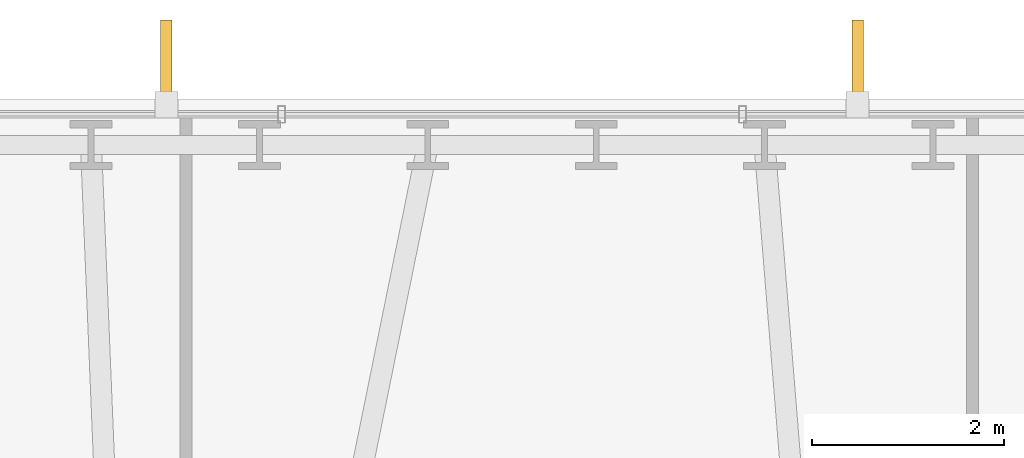
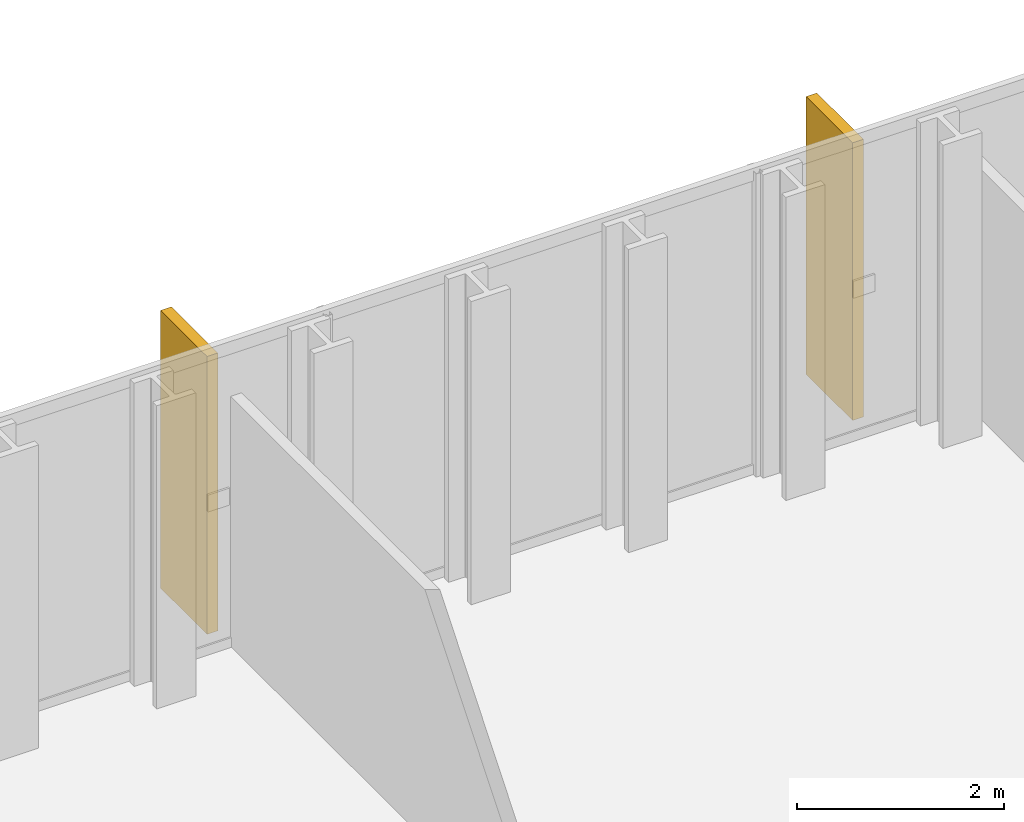
# One storey, part 33 of 33: 2 shading devices.
"""IFC4 building model written with IfcOpenShell, lengths in metres."""

import ifcopenshell
import ifcopenshell.guid

model = None  # the IFC model being written
_history = None  # IfcOwnerHistory: only IFC2X3 demands one
_inside = {}  # id of a spatial element -> (the spatial element, [elements in it])
_under = {}  # id of a project, library or spatial element -> (it, [spatial elements below it])
_declared = {}  # id of a project -> (the project, [libraries it declares])
_typed = {}  # id of a type object -> (the type object, [elements of that type])
_made_of = {}  # id of a material, layer set ... -> (it, [elements and type objects made of it])


def new_model(schema):
    """Start an empty IFC model of exactly this schema.

    Asked for "IFC4X3", IfcOpenShell would pick the latest addendum, in which some entities
    have other attributes; the version numbers below select the first issue.
    IFC2X3 requires an IfcOwnerHistory on every rooted entity: one is made here for all.
    """
    global model, _history
    if schema == "IFC4X3":
        model = ifcopenshell.file(schema_version=(4, 3, 0, 0))
    else:
        model = ifcopenshell.file(schema=schema)
    _inside.clear()
    _under.clear()
    _declared.clear()
    _typed.clear()
    _made_of.clear()
    _history = None
    if model.schema == "IFC2X3":
        org = make("IfcOrganization", Name="unknown")
        user = make(
            "IfcPersonAndOrganization",
            ThePerson=make("IfcPerson", FamilyName="unknown"),
            TheOrganization=org,
        )
        app = make(
            "IfcApplication",
            ApplicationDeveloper=org,
            Version="unknown",
            ApplicationFullName="unknown",
            ApplicationIdentifier="unknown",
        )
        _history = make(
            "IfcOwnerHistory",
            OwningUser=user,
            OwningApplication=app,
            ChangeAction="ADDED",
            CreationDate=0,
        )
    return model


def make(cls, **values):
    """One entity of the class cls with the attributes given. An attribute that is None is left unset."""
    return model.create_entity(
        cls, **{name: value for name, value in values.items() if value is not None}
    )


def rooted(cls, **values):
    """An entity with a GlobalId (a new one), such as an element, a storey or a relation."""
    return make(cls, GlobalId=ifcopenshell.guid.new(), OwnerHistory=_history, **values)


def si_unit(unit_type, name, prefix=None):
    """IfcSIUnit, for example si_unit("LENGTHUNIT", "METRE", prefix="MILLI")."""
    return make("IfcSIUnit", UnitType=unit_type, Prefix=prefix, Name=name)


def assignment(units):
    """IfcUnitAssignment: the units of a project."""
    return None if units is None else make("IfcUnitAssignment", Units=units)


def point(xyz):
    """IfcCartesianPoint."""
    return None if xyz is None else make("IfcCartesianPoint", Coordinates=xyz)


def direction(xyz):
    """IfcDirection."""
    return None if xyz is None else make("IfcDirection", DirectionRatios=xyz)


def frame(location, z_axis=None, x_axis=None):
    """IfcAxis2Placement3D, a coordinate frame: its origin and axes. An axis left out is left unset."""
    return make(
        "IfcAxis2Placement3D",
        Location=point(location),
        Axis=direction(z_axis),
        RefDirection=direction(x_axis),
    )


def frame_2d(location, x_axis=None):
    """IfcAxis2Placement2D, a coordinate frame in the plane: its origin and x axis."""
    return make(
        "IfcAxis2Placement2D", Location=point(location), RefDirection=direction(x_axis)
    )


def origin():
    """The frame at (0, 0, 0) with its axes left unset."""
    return frame((0.0, 0.0, 0.0))


def origin_2d():
    """The frame at (0, 0) in the plane with its x axis left unset."""
    return frame_2d((0.0, 0.0))


def place(relative_to, where):
    """IfcLocalPlacement: puts the frame where relative to a parent placement (None: the world)."""
    return make(
        "IfcLocalPlacement", PlacementRelTo=relative_to, RelativePlacement=where
    )


def context(
    kind, dimensions, precision=None, world=None, true_north=None, identifier=None
):
    """IfcGeometricRepresentationContext, for example the 3D "Model" context."""
    return make(
        "IfcGeometricRepresentationContext",
        ContextIdentifier=identifier,
        ContextType=kind,
        CoordinateSpaceDimension=dimensions,
        Precision=precision,
        WorldCoordinateSystem=world,
        TrueNorth=true_north,
    )


def subcontext(parent, identifier, kind, view, scale=None):
    """IfcGeometricRepresentationSubContext, for example "Body" below "Model"."""
    return make(
        "IfcGeometricRepresentationSubContext",
        ContextIdentifier=identifier,
        ContextType=kind,
        ParentContext=parent,
        TargetScale=scale,
        TargetView=view,
    )


def project(units=None, contexts=None):
    """IfcProject with its units and contexts."""
    return rooted(
        "IfcProject",
        Name="project",
        RepresentationContexts=contexts,
        UnitsInContext=assignment(units),
    )


def spatial(cls, under=None, at=None, **own):
    """A site, building, storey or space (cls), placed at a placement, below another one or the project."""
    s = rooted(cls, ObjectPlacement=at, **own)
    if under is not None:
        _under.setdefault(under.id(), (under, []))[1].append(s)
    return s


def profile(cls, at=None, kind="AREA", **sizes):
    """A parametric profile (cls). Its sizes go by their IFC names, for example OverallWidth=200.0."""
    return make(cls, ProfileType=kind, Position=at, **sizes)


def rectangle(**sizes):
    """IfcRectangleProfileDef."""
    return profile("IfcRectangleProfileDef", **sizes)


def extrude(swept, where, along, depth):
    """IfcExtrudedAreaSolid: the profile swept, set in the frame where, extruded along a direction by depth."""
    return make(
        "IfcExtrudedAreaSolid",
        SweptArea=swept,
        Position=where,
        ExtrudedDirection=direction(along),
        Depth=depth,
    )


def shape(context_of_items, identifier, shape_type, items):
    """IfcShapeRepresentation: the items that make up one representation, for example the "Body"."""
    return make(
        "IfcShapeRepresentation",
        ContextOfItems=context_of_items,
        RepresentationIdentifier=identifier,
        RepresentationType=shape_type,
        Items=items,
    )


def material(Name=None, Category=None):
    """IfcMaterial."""
    return make("IfcMaterial", Name=Name, Category=Category)


def made_of(thing, what):
    """Note that an element or type object is made of a material, layer set ...; save() writes the relation."""
    if what is not None:
        _made_of.setdefault(what.id(), (what, []))[1].append(thing)
    return thing


def type_object(cls, material=None, **own):
    """A type object (cls), such as IfcWallType, which elements share."""
    return made_of(rooted(cls, **own), material)


def element(
    cls,
    number,
    at=None,
    inside=None,
    cuts=None,
    type_object=None,
    material=None,
    context=None,
    identifier="Body",
    shape_type=None,
    held_by="IfcProductDefinitionShape",
    body=None,
    shapes=None,
    **own,
):
    """One element of the class cls, such as IfcWall. Its Tag is "e" and its number.

    at: its placement. inside: the storey or other place that contains it. cuts: it is an
    opening in that element (IfcRelVoidsElement). A single representation is given by context,
    identifier, shape_type and body (its items); several are given by shapes. held_by: the class
    of the entity that holds the representations. save() writes the other relations.
    """
    e = rooted(cls, Tag="e%d" % number, ObjectPlacement=at, **own)
    if body is not None:
        shapes = [shape(context, identifier, shape_type, body)]
    if shapes is not None:
        e.Representation = make(held_by, Representations=shapes)
    if inside is not None:
        _inside.setdefault(inside.id(), (inside, []))[1].append(e)
    if cuts is not None:
        rooted(
            "IfcRelVoidsElement", RelatingBuildingElement=cuts, RelatedOpeningElement=e
        )
    if type_object is not None:
        _typed.setdefault(type_object.id(), (type_object, []))[1].append(e)
    return made_of(e, material)


def aggregate(whole, parts):
    """IfcRelAggregates: a whole, such as a stair, and the parts it consists of."""
    return rooted("IfcRelAggregates", RelatingObject=whole, RelatedObjects=parts)


def save(model, path):
    """Write the relations noted so far, then the file.

    IfcRelAggregates (storeys below a building ...), IfcRelContainedInSpatialStructure (elements
    in a storey), IfcRelDefinesByType, IfcRelAssociatesMaterial and IfcRelDeclares: one each for
    every whole, place, type object, material and project.
    """
    for whole, parts in _under.values():
        aggregate(whole, parts)
    for where, things in _inside.values():
        rooted(
            "IfcRelContainedInSpatialStructure",
            RelatedElements=things,
            RelatingStructure=where,
        )
    for kind, things in _typed.values():
        rooted("IfcRelDefinesByType", RelatedObjects=things, RelatingType=kind)
    for what, things in _made_of.values():
        rooted("IfcRelAssociatesMaterial", RelatedObjects=things, RelatingMaterial=what)
    for by, libraries in _declared.values():
        rooted("IfcRelDeclares", RelatingContext=by, RelatedDefinitions=libraries)
    model.write(path)


model = new_model("IFC4")

# Units and contexts
model_context = context("Model", 3, precision=1e-05, world=origin(), true_north=direction((0.0, 1.0)))
body_context = subcontext(model_context, "Body", "Model", "MODEL_VIEW")
ifc_project = project(units=[si_unit("LENGTHUNIT", "METRE"), si_unit("AREAUNIT", "SQUARE_METRE"), si_unit("VOLUMEUNIT", "CUBIC_METRE"), si_unit("PLANEANGLEUNIT", "RADIAN"), si_unit("MASSUNIT", "GRAM", prefix="KILO")], contexts=[model_context])

# Site, building, storey
site_placement = place(None, origin())
site = spatial("IfcSite", under=ifc_project, at=site_placement, CompositionType="ELEMENT")
building_placement = place(site_placement, origin())
building = spatial("IfcBuilding", under=site, at=building_placement, Name="Ndaravel Arena Tower", CompositionType="ELEMENT")
storey_placement = place(building_placement, frame((0.0, 0.0, 81.60009765625)))
storey = spatial("IfcBuildingStorey", under=building, at=storey_placement, Name="L18", CompositionType="ELEMENT", Elevation=81.60009765625)

# Shading devices
ifc_material = material(Name="Masonry", Category="masonry")
shading_device_type = type_object("IfcShadingDeviceType", Name="SHD-MAZERAS-FIN", PredefinedType="SHUTTER", material=ifc_material)
for number, where, z_axis, x_axis, name in (
    (1, (45.60498046875, 46.429931640625, 0.14990234375), (0.0, 0.0, 1.0), (0.0, 1.0, 0.0), "L18 Mazeras Stone Solar Fin E4.1"),
    (2, (38.39501953125, 46.429931640625, 0.14990234375), (0.0, 0.0, 1.0), (0.0, 1.0, 0.0), "L18 Mazeras Stone Solar Fin E4.2"),
):
    element("IfcShadingDevice", number, at=place(storey_placement, frame(where, z_axis=z_axis, x_axis=x_axis)), inside=storey, type_object=shading_device_type, Name=name, PredefinedType="SHUTTER", context=body_context, shape_type="SweptSolid", body=[
        extrude(rectangle(XDim=0.89990234375, YDim=0.1201171875, at=origin_2d()), origin(), (0.0, 0.0, 1.0), 3.280029296875),
    ])

save(model, "model.ifc")
